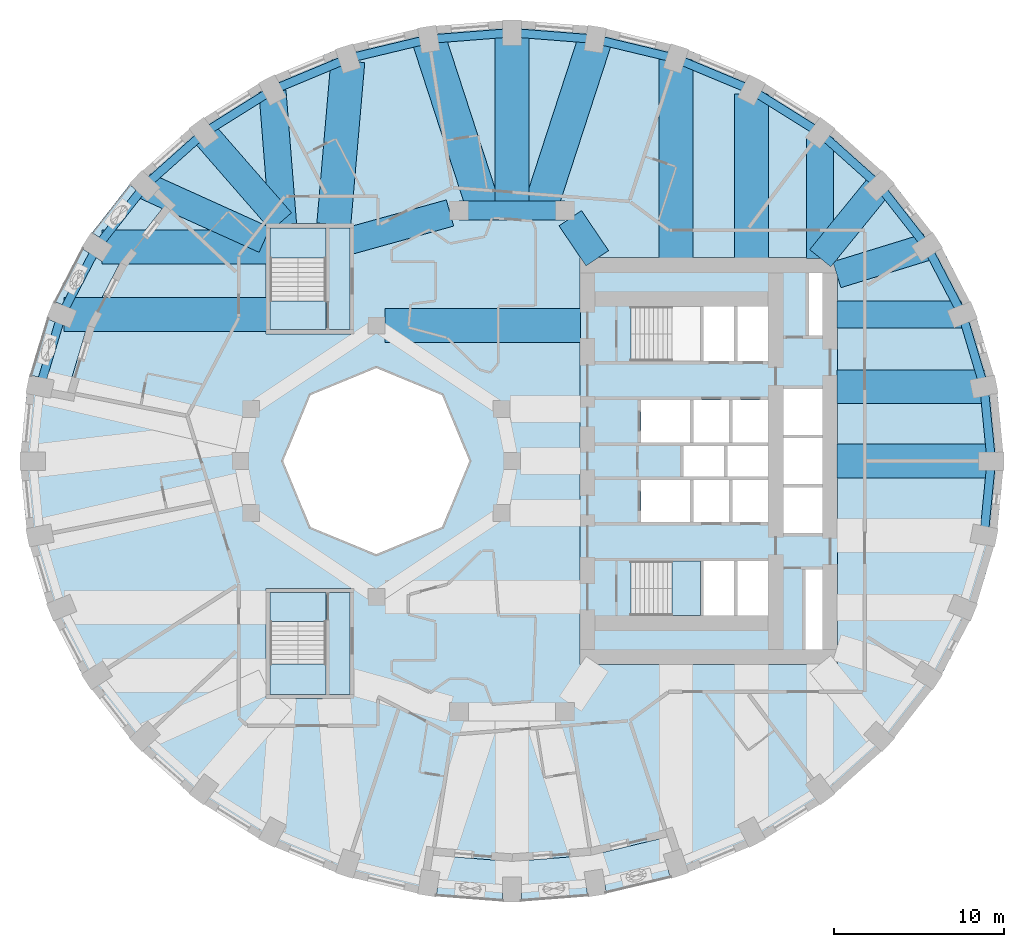
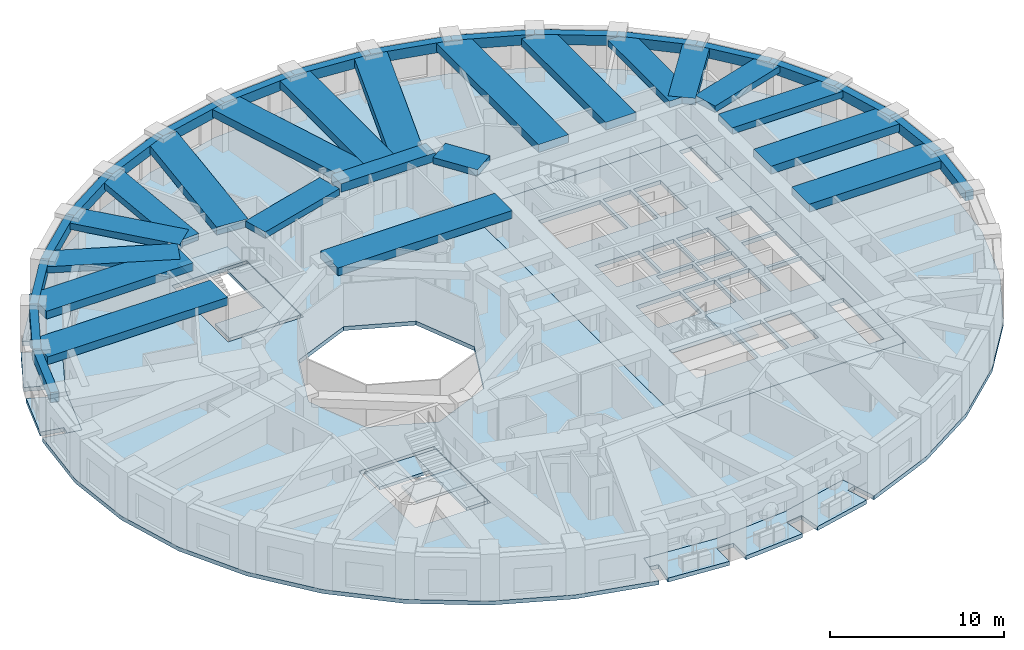
# One storey, part 2 of 13: 39 beams, 11 slabs, 3 elements without a shape of their own.
"""IFC4 building model written with IfcOpenShell, lengths in metres."""

from ifc_helpers import new_model, si_unit, direction, frame, origin, origin_2d, place, context, subcontext, project, spatial, polyline, rectangle, outline, extrude, material, layer, layer_set, material_profile, profile_set, type_object, element, aggregate, save


model = new_model("IFC4")

# Units and contexts
model_context = context("Model", 3, precision=1e-05, world=origin(), true_north=direction((0.0, 1.0)))
body_context = subcontext(model_context, "Body", "Model", "MODEL_VIEW")
ifc_project = project(units=[si_unit("LENGTHUNIT", "METRE"), si_unit("AREAUNIT", "SQUARE_METRE"), si_unit("VOLUMEUNIT", "CUBIC_METRE"), si_unit("PLANEANGLEUNIT", "RADIAN"), si_unit("MASSUNIT", "GRAM", prefix="KILO")], contexts=[model_context])

# Site, building, storey
site_placement = place(None, origin())
site = spatial("IfcSite", under=ifc_project, at=site_placement, CompositionType="ELEMENT")
building_placement = place(site_placement, origin())
building = spatial("IfcBuilding", under=site, at=building_placement, Name="Taillehof Tower", CompositionType="ELEMENT")
storey_placement = place(building_placement, frame((0.0, 0.0, 31.60009765625)))
storey = spatial("IfcBuildingStorey", under=building, at=storey_placement, Name="L07", CompositionType="ELEMENT", Elevation=31.60009765625)

# Beams
ifc_material_1 = material(Name="Concrete C50/60", Category="concrete")
ifc_material_profile_1 = material_profile(ifc_material_1, rectangle(XDim=1.10009765625, YDim=0.60009765625, at=origin_2d()), Name="RC 1100x600")
ifc_profile_set_1 = profile_set([ifc_material_profile_1], Name="Concrete C50/60")
beam_type_1 = type_object("IfcBeamType", Name="Mid-ring beam C50/60 1100x600", PredefinedType="BEAM", material=ifc_profile_set_1)
beam_1_placement = place(storey_placement, frame((3.125732421875, 14.772216796875, 2.719970703125), z_axis=(-1.0, 0.0, 0.0), x_axis=(0.0, -1.0, 0.0)))
element("IfcBeam", 1, at=beam_1_placement, inside=storey, type_object=beam_type_1, Name="Mid-ring beam MB01", PredefinedType="BEAM", context=body_context, shape_type="SweptSolid", body=[
    extrude(rectangle(XDim=1.10009765625, YDim=0.60009765625, at=origin_2d()), origin(), (0.0, 0.0, 1.0), 6.25146484375),
])
ifc_material_2 = material(Name="Concrete C50/60", Category="concrete")
ifc_material_profile_2 = material_profile(ifc_material_2, rectangle(XDim=1.60009765625, YDim=0.449951171875, at=origin_2d()), Name="RC 1600x450")
ifc_profile_set_2 = profile_set([ifc_material_profile_2], Name="Concrete C50/60")
beam_type_2 = type_object("IfcBeamType", Name="Radial band beam C50/60 1600x450", PredefinedType="BEAM", material=ifc_profile_set_2)
beam_2_placement = place(storey_placement, frame((26.490478515625, 8.635986328125, 2.794921875), z_axis=(-1.0, 0.0, 0.0), x_axis=(0.0, -1.0, 0.0)))
element("IfcBeam", 2, at=beam_2_placement, inside=storey, type_object=beam_type_2, Name="Radial band beam RB03", PredefinedType="BEAM", context=body_context, shape_type="SweptSolid", body=[
    extrude(rectangle(XDim=1.60009765625, YDim=0.449951171875, at=origin_2d()), origin(), (0.0, 0.0, 1.0), 7.340576171875),
])
beam_3_placement = place(storey_placement, frame((24.46533203125, 12.625, 2.794921875), z_axis=(-0.955535654338, -0.294875589511, 0.0), x_axis=(0.294875589511, -0.955535654338, 0.0)))
element("IfcBeam", 3, at=beam_3_placement, inside=storey, type_object=beam_type_2, Name="Radial band beam RB04", PredefinedType="BEAM", context=body_context, shape_type="SweptSolid", body=[
    extrude(rectangle(XDim=1.60009765625, YDim=0.449951171875, at=origin_2d()), origin(), (0.0, 0.0, 1.0), 5.560546875),
])
beam_4_placement = place(storey_placement, frame((21.640869140625, 16.23046875, 2.794921875), z_axis=(-0.630988373846, -0.775792286679, 0.0), x_axis=(0.775792286679, -0.630988373846, 0.0)))
element("IfcBeam", 4, at=beam_4_placement, inside=storey, type_object=beam_type_2, Name="Radial band beam RB05", PredefinedType="BEAM", context=body_context, shape_type="SweptSolid", body=[
    extrude(rectangle(XDim=1.60009765625, YDim=0.449951171875, at=origin_2d()), origin(), (0.0, 0.0, 1.0), 5.503173828125),
])
beam_5_placement = place(storey_placement, frame((18.15869140625, 19.05517578125, 2.794921875), z_axis=(0.0, -1.0, 0.0), x_axis=(1.0, 0.0, 0.0)))
element("IfcBeam", 5, at=beam_5_placement, inside=storey, type_object=beam_type_2, Name="Radial band beam RB06", PredefinedType="BEAM", context=body_context, shape_type="SweptSolid", body=[
    extrude(rectangle(XDim=1.60009765625, YDim=0.449951171875, at=origin_2d()), origin(), (0.0, 0.0, 1.0), 7.105224609375),
])
beam_6_placement = place(storey_placement, frame((-14.119873046875, 21.802978515625, 2.794921875), z_axis=(0.079184740988, -0.996859958467, 0.0), x_axis=(0.996859958467, 0.079184740988, 0.0)))
element("IfcBeam", 6, at=beam_6_placement, inside=storey, type_object=beam_type_2, Name="Radial band beam RB13", PredefinedType="BEAM", context=body_context, shape_type="SweptSolid", body=[
    extrude(rectangle(XDim=1.60009765625, YDim=0.449951171875, at=origin_2d()), origin(), (0.0, 0.0, 1.0), 7.87744140625),
])
beam_7_placement = place(storey_placement, frame((-18.15869140625, 19.342529296875, 2.794921875), z_axis=(0.65721824087, -0.753700327628, 0.0), x_axis=(0.753700327628, 0.65721824087, 0.0)))
element("IfcBeam", 7, at=beam_7_placement, inside=storey, type_object=beam_type_2, Name="Radial band beam RB14", PredefinedType="BEAM", context=body_context, shape_type="SweptSolid", body=[
    extrude(rectangle(XDim=1.60009765625, YDim=0.449951171875, at=origin_2d()), origin(), (0.0, 0.0, 1.0), 6.9384765625),
])
beam_8_placement = place(storey_placement, frame((-21.632568359375, 16.226806640625, 2.794921875), z_axis=(0.911100590789, -0.412184077161, 0.0), x_axis=(0.412184077161, 0.911100590789, 0.0)))
element("IfcBeam", 8, at=beam_8_placement, inside=storey, type_object=beam_type_2, Name="Radial band beam RB15", PredefinedType="BEAM", context=body_context, shape_type="SweptSolid", body=[
    extrude(rectangle(XDim=1.60009765625, YDim=0.449951171875, at=origin_2d()), origin(), (0.0, 0.0, 1.0), 7.740966796875),
])
beam_9_placement = place(storey_placement, frame((3.433837890625, 14.31640625, 2.794921875), z_axis=(0.560112043398, -0.828416862962, 0.0), x_axis=(0.828416862962, 0.560112043398, 0.0)))
element("IfcBeam", 9, at=beam_9_placement, inside=storey, type_object=beam_type_2, Name="Inner band beam IB205", PredefinedType="BEAM", context=body_context, shape_type="SweptSolid", body=[
    extrude(rectangle(XDim=1.60009765625, YDim=0.449951171875, at=origin_2d()), origin(), (0.0, 0.0, 1.0), 2.84619140625),
])
beam_10_placement = place(storey_placement, frame((-3.655517578125, 14.624755859375, 2.794921875), z_axis=(-0.963459369536, -0.267854518821, 0.0), x_axis=(0.267854518821, -0.963459369536, 0.0)))
element("IfcBeam", 10, at=beam_10_placement, inside=storey, type_object=beam_type_2, Name="Inner band beam IB206", PredefinedType="BEAM", context=body_context, shape_type="SweptSolid", body=[
    extrude(rectangle(XDim=1.60009765625, YDim=0.449951171875, at=origin_2d()), origin(), (0.0, 0.0, 1.0), 6.096923828125),
])
ifc_material_3 = material(Name="Concrete C50/60", Category="concrete")
ifc_material_profile_3 = material_profile(ifc_material_3, rectangle(XDim=2.0, YDim=0.550048828125, at=origin_2d()), Name="RC 2000x550")
ifc_profile_set_3 = profile_set([ifc_material_profile_3], Name="Concrete C50/60")
beam_type_3 = type_object("IfcBeamType", Name="Radial band beam C50/60 2000x550", PredefinedType="BEAM", material=ifc_profile_set_3)
beam_11_placement = place(storey_placement, frame((28.25, 0.0, 2.744873046875), z_axis=(-1.0, 0.0, 0.0), x_axis=(0.0, -1.0, 0.0)))
element("IfcBeam", 11, at=beam_11_placement, inside=storey, type_object=beam_type_3, Name="Radial band beam RB01", PredefinedType="BEAM", context=body_context, shape_type="SweptSolid", body=[
    extrude(rectangle(XDim=2.0, YDim=0.550048828125, at=origin_2d()), origin(), (0.0, 0.0, 1.0), 9.10009765625),
])
beam_12_placement = place(storey_placement, frame((27.82080078125, 4.384521484375, 2.744873046875), z_axis=(-1.0, 0.0, 0.0), x_axis=(0.0, -1.0, 0.0)))
element("IfcBeam", 12, at=beam_12_placement, inside=storey, type_object=beam_type_3, Name="Radial band beam RB02", PredefinedType="BEAM", context=body_context, shape_type="SweptSolid", body=[
    extrude(rectangle(XDim=2.0, YDim=0.550048828125, at=origin_2d()), origin(), (0.0, 0.0, 1.0), 8.6708984375),
])
beam_13_placement = place(storey_placement, frame((14.125, 21.63232421875, 2.744873046875), z_axis=(0.0, -1.0, 0.0), x_axis=(1.0, 0.0, 0.0)))
element("IfcBeam", 13, at=beam_13_placement, inside=storey, type_object=beam_type_3, Name="Radial band beam RB07", PredefinedType="BEAM", context=body_context, shape_type="SweptSolid", body=[
    extrude(rectangle(XDim=2.0, YDim=0.550048828125, at=origin_2d()), origin(), (0.0, 0.0, 1.0), 9.682373046875),
])
beam_14_placement = place(storey_placement, frame((9.662109375, 23.664794921875, 2.744873046875), z_axis=(0.0, -1.0, 0.0), x_axis=(1.0, 0.0, 0.0)))
element("IfcBeam", 14, at=beam_14_placement, inside=storey, type_object=beam_type_3, Name="Radial band beam RB08", PredefinedType="BEAM", context=body_context, shape_type="SweptSolid", body=[
    extrude(rectangle(XDim=2.0, YDim=0.550048828125, at=origin_2d()), origin(), (0.0, 0.0, 1.0), 11.71484375),
])
beam_15_placement = place(storey_placement, frame((4.905517578125, 24.866455078125, 2.744873046875), z_axis=(-0.309014294595, -0.951057393503, 0.0), x_axis=(0.951057393503, -0.309014294595, 0.0)))
element("IfcBeam", 15, at=beam_15_placement, inside=storey, type_object=beam_type_3, Name="Radial band beam RB09", PredefinedType="BEAM", context=body_context, shape_type="SweptSolid", body=[
    extrude(rectangle(XDim=2.0, YDim=0.550048828125, at=origin_2d()), origin(), (0.0, 0.0, 1.0), 10.61376953125),
])
beam_16_placement = place(storey_placement, frame((0.0, 25.25, 2.744873046875), z_axis=(0.0, -1.0, 0.0), x_axis=(1.0, 0.0, 0.0)))
element("IfcBeam", 16, at=beam_16_placement, inside=storey, type_object=beam_type_3, Name="Radial band beam RB10", PredefinedType="BEAM", context=body_context, shape_type="SweptSolid", body=[
    extrude(rectangle(XDim=2.0, YDim=0.550048828125, at=origin_2d()), origin(), (0.0, 0.0, 1.0), 10.477783203125),
])
beam_17_placement = place(storey_placement, frame((-4.905517578125, 24.866455078125, 2.744873046875), z_axis=(0.309014294595, -0.951057393503, 0.0), x_axis=(0.951057393503, 0.309014294595, 0.0)))
element("IfcBeam", 17, at=beam_17_placement, inside=storey, type_object=beam_type_3, Name="Radial band beam RB11", PredefinedType="BEAM", context=body_context, shape_type="SweptSolid", body=[
    extrude(rectangle(XDim=2.0, YDim=0.550048828125, at=origin_2d()), origin(), (0.0, 0.0, 1.0), 10.61376953125),
])
beam_18_placement = place(storey_placement, frame((-9.675048828125, 23.575927734375, 2.744873046875), z_axis=(-0.085841202752, -0.996308831593, 0.0), x_axis=(0.996308831593, -0.085841202752, 0.0)))
element("IfcBeam", 18, at=beam_18_placement, inside=storey, type_object=beam_type_3, Name="Radial band beam RB12", PredefinedType="BEAM", context=body_context, shape_type="SweptSolid", body=[
    extrude(rectangle(XDim=2.0, YDim=0.550048828125, at=origin_2d()), origin(), (0.0, 0.0, 1.0), 9.661376953125),
])
beam_19_placement = place(storey_placement, frame((-24.172607421875, 12.625, 2.744873046875), z_axis=(1.0, 0.0, 0.0), x_axis=(0.0, 1.0, 0.0)))
element("IfcBeam", 19, at=beam_19_placement, inside=storey, type_object=beam_type_3, Name="Radial band beam RB16", PredefinedType="BEAM", context=body_context, shape_type="SweptSolid", body=[
    extrude(rectangle(XDim=2.0, YDim=0.550048828125, at=origin_2d()), origin(), (0.0, 0.0, 1.0), 9.72265625),
])
beam_20_placement = place(storey_placement, frame((-26.408935546875, 8.635986328125, 2.744873046875), z_axis=(1.0, 0.0, 0.0), x_axis=(0.0, 1.0, 0.0)))
element("IfcBeam", 20, at=beam_20_placement, inside=storey, type_object=beam_type_3, Name="Radial band beam RB17", PredefinedType="BEAM", context=body_context, shape_type="SweptSolid", body=[
    extrude(rectangle(XDim=2.0, YDim=0.550048828125, at=origin_2d()), origin(), (0.0, 0.0, 1.0), 11.958984375),
])
beam_21_placement = place(storey_placement, frame((-7.5, 8.0, 2.744873046875), z_axis=(1.0, 0.0, 0.0), x_axis=(0.0, 1.0, 0.0)))
element("IfcBeam", 21, at=beam_21_placement, inside=storey, type_object=beam_type_3, Name="Inner band beam IB105", PredefinedType="BEAM", context=body_context, shape_type="SweptSolid", body=[
    extrude(rectangle(XDim=2.0, YDim=0.550048828125, at=origin_2d()), origin(), (0.0, 0.0, 1.0), 11.550048828125),
])
ifc_material_4 = material(Name="Concrete C50/60", Category="concrete")
ifc_material_profile_4 = material_profile(ifc_material_4, rectangle(XDim=0.5, YDim=0.699951171875, at=origin_2d()), Name="RC 500x700")
ifc_profile_set_4 = profile_set([ifc_material_profile_4], Name="Concrete C50/60")
beam_type_4 = type_object("IfcBeamType", Name="Spandrel beam C50/60 500x700", PredefinedType="SPANDREL", material=ifc_profile_set_4)
beam_22_placement = place(storey_placement, frame((28.25, 0.0, 2.669921875), z_axis=(-0.097423973567, 0.99524297002, 0.0), x_axis=(-0.99524297002, -0.097423973567, 0.0)))
element("IfcBeam", 22, at=beam_22_placement, inside=storey, type_object=beam_type_4, Name="Spandrel beam SB01", PredefinedType="SPANDREL", context=body_context, shape_type="SweptSolid", body=[
    extrude(rectangle(XDim=0.5, YDim=0.699951171875, at=origin_2d()), origin(), (0.0, 0.0, 1.0), 4.405517578125),
])
beam_23_placement = place(storey_placement, frame((27.82080078125, 4.384521484375, 2.669921875), z_axis=(-0.287135925407, 0.957889847707, 0.0), x_axis=(-0.957889847707, -0.287135925407, 0.0)))
element("IfcBeam", 23, at=beam_23_placement, inside=storey, type_object=beam_type_4, Name="Spandrel beam SB02", PredefinedType="SPANDREL", context=body_context, shape_type="SweptSolid", body=[
    extrude(rectangle(XDim=0.5, YDim=0.699951171875, at=origin_2d()), origin(), (0.0, 0.0, 1.0), 4.4384765625),
])
beam_24_placement = place(storey_placement, frame((26.54638671875, 8.635986328125, 2.669921875), z_axis=(-0.462536335232, 0.886600326297, 0.0), x_axis=(-0.886600326297, -0.462536335232, 0.0)))
element("IfcBeam", 24, at=beam_24_placement, inside=storey, type_object=beam_type_4, Name="Spandrel beam SB03", PredefinedType="SPANDREL", context=body_context, shape_type="SweptSolid", body=[
    extrude(rectangle(XDim=0.5, YDim=0.699951171875, at=origin_2d()), origin(), (0.0, 0.0, 1.0), 4.499267578125),
])
beam_25_placement = place(storey_placement, frame((24.46533203125, 12.625, 2.669921875), z_axis=(-0.616686200373, 0.787209076593, 0.0), x_axis=(-0.787209076593, -0.616686200373, 0.0)))
element("IfcBeam", 25, at=beam_25_placement, inside=storey, type_object=beam_type_4, Name="Spandrel beam SB04", PredefinedType="SPANDREL", context=body_context, shape_type="SweptSolid", body=[
    extrude(rectangle(XDim=0.5, YDim=0.699951171875, at=origin_2d()), origin(), (0.0, 0.0, 1.0), 4.580078125),
])
beam_26_placement = place(storey_placement, frame((21.640869140625, 16.23046875, 2.669921875), z_axis=(-0.745621283614, 0.666369943366, 0.0), x_axis=(-0.666369943366, -0.745621283614, 0.0)))
element("IfcBeam", 26, at=beam_26_placement, inside=storey, type_object=beam_type_4, Name="Spandrel beam SB05", PredefinedType="SPANDREL", context=body_context, shape_type="SweptSolid", body=[
    extrude(rectangle(XDim=0.5, YDim=0.699951171875, at=origin_2d()), origin(), (0.0, 0.0, 1.0), 4.670166015625),
])
beam_27_placement = place(storey_placement, frame((18.15869140625, 19.342529296875, 2.669921875), z_axis=(-0.847658018883, 0.530543007703, 0.0), x_axis=(-0.530543007703, -0.847658018883, 0.0)))
element("IfcBeam", 27, at=beam_27_placement, inside=storey, type_object=beam_type_4, Name="Spandrel beam SB06", PredefinedType="SPANDREL", context=body_context, shape_type="SweptSolid", body=[
    extrude(rectangle(XDim=0.5, YDim=0.699951171875, at=origin_2d()), origin(), (0.0, 0.0, 1.0), 4.758544921875),
])
beam_28_placement = place(storey_placement, frame((14.125, 21.8671875, 2.669921875), z_axis=(-0.923035088053, 0.384715773297, 0.0), x_axis=(-0.384715773297, -0.923035088053, 0.0)))
element("IfcBeam", 28, at=beam_28_placement, inside=storey, type_object=beam_type_4, Name="Spandrel beam SB07", PredefinedType="SPANDREL", context=body_context, shape_type="SweptSolid", body=[
    extrude(rectangle(XDim=0.5, YDim=0.699951171875, at=origin_2d()), origin(), (0.0, 0.0, 1.0), 4.8349609375),
])
beam_29_placement = place(storey_placement, frame((9.662109375, 23.727294921875, 2.669921875), z_axis=(-0.9724995553, 0.232904733616, 0.0), x_axis=(-0.232904733616, -0.9724995553, 0.0)))
element("IfcBeam", 29, at=beam_29_placement, inside=storey, type_object=beam_type_4, Name="Spandrel beam SB08", PredefinedType="SPANDREL", context=body_context, shape_type="SweptSolid", body=[
    extrude(rectangle(XDim=0.5, YDim=0.699951171875, at=origin_2d()), origin(), (0.0, 0.0, 1.0), 4.89111328125),
])
for number, where, z_axis, x_axis, name in (
    (30, (4.905517578125, 24.866455078125, 2.669921875), (-0.996957383661, 0.077948541767, 0.0), (-0.077948541767, -0.996957383661, 0.0), "Spandrel beam SB09"),
    (31, (0.0, 25.25, 2.669921875), (-0.996957383661, -0.077948541767, 0.0), (0.077948541767, -0.996957383661, 0.0), "Spandrel beam SB10"),
):
    element("IfcBeam", number, at=place(storey_placement, frame(where, z_axis=z_axis, x_axis=x_axis)), inside=storey, type_object=beam_type_4, Name=name, PredefinedType="SPANDREL", context=body_context, shape_type="SweptSolid", body=[
        extrude(rectangle(XDim=0.5, YDim=0.699951171875, at=origin_2d()), origin(), (0.0, 0.0, 1.0), 4.92041015625),
    ])
beam_30_placement = place(storey_placement, frame((-4.905517578125, 24.866455078125, 2.669921875), z_axis=(-0.9724995553, -0.232904733616, 0.0), x_axis=(0.232904733616, -0.9724995553, 0.0)))
element("IfcBeam", 32, at=beam_30_placement, inside=storey, type_object=beam_type_4, Name="Spandrel beam SB11", PredefinedType="SPANDREL", context=body_context, shape_type="SweptSolid", body=[
    extrude(rectangle(XDim=0.5, YDim=0.699951171875, at=origin_2d()), origin(), (0.0, 0.0, 1.0), 4.89111328125),
])
beam_31_placement = place(storey_placement, frame((-9.662109375, 23.727294921875, 2.669921875), z_axis=(-0.923035088053, -0.384715773297, 0.0), x_axis=(0.384715773297, -0.923035088053, 0.0)))
element("IfcBeam", 33, at=beam_31_placement, inside=storey, type_object=beam_type_4, Name="Spandrel beam SB12", PredefinedType="SPANDREL", context=body_context, shape_type="SweptSolid", body=[
    extrude(rectangle(XDim=0.5, YDim=0.699951171875, at=origin_2d()), origin(), (0.0, 0.0, 1.0), 4.8349609375),
])
beam_32_placement = place(storey_placement, frame((-14.125, 21.8671875, 2.669921875), z_axis=(-0.847658018883, -0.530543007703, 0.0), x_axis=(0.530543007703, -0.847658018883, 0.0)))
element("IfcBeam", 34, at=beam_32_placement, inside=storey, type_object=beam_type_4, Name="Spandrel beam SB13", PredefinedType="SPANDREL", context=body_context, shape_type="SweptSolid", body=[
    extrude(rectangle(XDim=0.5, YDim=0.699951171875, at=origin_2d()), origin(), (0.0, 0.0, 1.0), 4.758544921875),
])
beam_33_placement = place(storey_placement, frame((-18.15869140625, 19.342529296875, 2.669921875), z_axis=(-0.745621283614, -0.666369943366, 0.0), x_axis=(0.666369943366, -0.745621283614, 0.0)))
element("IfcBeam", 35, at=beam_33_placement, inside=storey, type_object=beam_type_4, Name="Spandrel beam SB14", PredefinedType="SPANDREL", context=body_context, shape_type="SweptSolid", body=[
    extrude(rectangle(XDim=0.5, YDim=0.699951171875, at=origin_2d()), origin(), (0.0, 0.0, 1.0), 4.670166015625),
])
beam_34_placement = place(storey_placement, frame((-21.640869140625, 16.23046875, 2.669921875), z_axis=(-0.616686200373, -0.787209076593, 0.0), x_axis=(0.787209076593, -0.616686200373, 0.0)))
element("IfcBeam", 36, at=beam_34_placement, inside=storey, type_object=beam_type_4, Name="Spandrel beam SB15", PredefinedType="SPANDREL", context=body_context, shape_type="SweptSolid", body=[
    extrude(rectangle(XDim=0.5, YDim=0.699951171875, at=origin_2d()), origin(), (0.0, 0.0, 1.0), 4.580078125),
])
beam_35_placement = place(storey_placement, frame((-24.46533203125, 12.625, 2.669921875), z_axis=(-0.462536335232, -0.886600326297, 0.0), x_axis=(0.886600326297, -0.462536335232, 0.0)))
element("IfcBeam", 37, at=beam_35_placement, inside=storey, type_object=beam_type_4, Name="Spandrel beam SB16", PredefinedType="SPANDREL", context=body_context, shape_type="SweptSolid", body=[
    extrude(rectangle(XDim=0.5, YDim=0.699951171875, at=origin_2d()), origin(), (0.0, 0.0, 1.0), 4.499267578125),
])
beam_36_placement = place(storey_placement, frame((-26.54638671875, 8.635986328125, 2.669921875), z_axis=(-0.287135925407, -0.957889847707, 0.0), x_axis=(0.957889847707, -0.287135925407, 0.0)))
element("IfcBeam", 38, at=beam_36_placement, inside=storey, type_object=beam_type_4, Name="Spandrel beam SB17", PredefinedType="SPANDREL", context=body_context, shape_type="SweptSolid", body=[
    extrude(rectangle(XDim=0.5, YDim=0.699951171875, at=origin_2d()), origin(), (0.0, 0.0, 1.0), 4.4384765625),
])
beam_37_placement = place(storey_placement, frame((27.82080078125, -4.384521484375, 2.669921875), z_axis=(0.097423973567, 0.99524297002, 0.0), x_axis=(-0.99524297002, 0.097423973567, 0.0)))
element("IfcBeam", 39, at=beam_37_placement, inside=storey, type_object=beam_type_4, Name="Spandrel beam SB36", PredefinedType="SPANDREL", context=body_context, shape_type="SweptSolid", body=[
    extrude(rectangle(XDim=0.5, YDim=0.699951171875, at=origin_2d()), origin(), (0.0, 0.0, 1.0), 4.405517578125),
])

# Slabs
ifc_material_5 = material(Name="Concrete C40/50", Category="concrete")
ifc_layer_1 = layer(ifc_material_5, 0.280029296875)
ifc_layer_set_1 = layer_set([ifc_layer_1], Name="Balcony slab 280")
slab_type_1 = type_object("IfcSlabType", Name="Balcony slab 280", PredefinedType="USERDEFINED", material=ifc_layer_set_1)
slab_1_placement = place(storey_placement, frame((0.0, 0.0, -0.280029296875)))
element("IfcSlab", 40, at=slab_1_placement, inside=storey, type_object=slab_type_1, Name="Balcony L07 pocket 4", ObjectType="BALCONY", PredefinedType="USERDEFINED", context=body_context, shape_type="SweptSolid", body=[
    extrude(outline(polyline([(-26.20458984375, 4.0517578125), (-27.087646484375, 4.225341796875), (-26.978759765625, 4.779541015625), (-28.39697265625, 5.058349609375), (-27.4013671875, 8.3896484375), (-26.058349609375, 7.84423828125), (-25.64453125, 8.863525390625), (-26.9833984375, 9.406982421875), (-25.352783203125, 12.54248046875), (-24.13232421875, 11.756591796875), (-23.536865234375, 12.681396484375), (-24.752197265625, 13.464111328125), (-22.530029296875, 16.309326171875), (-21.468994140625, 15.31640625), (-21.120849609375, 15.688232421875), (-20.463134765625, 15.072509765625), (-23.096923828125, 11.70068359375), (-25.02734375, 7.98974609375), (-26.20458984375, 4.0517578125)])), origin(), (0.0, 0.0, 1.0), 0.280029296875),
])
slab_2_placement = place(storey_placement, frame((0.0, 0.0, -0.280029296875)))
element("IfcSlab", 41, at=slab_2_placement, inside=storey, type_object=slab_type_1, Name="Balcony L07 pocket 8", ObjectType="BALCONY", PredefinedType="USERDEFINED", context=body_context, shape_type="SweptSolid", body=[
    extrude(outline(polyline([(9.174072265625, -22.150390625), (9.453369140625, -23.00634765625), (8.906494140625, -23.184814453125), (9.357421875, -24.56689453125), (5.559326171875, -25.479248046875), (5.331787109375, -24.039794921875), (4.2451171875, -24.21142578125), (4.472412109375, -25.649169921875), (0.550048828125, -25.956787109375), (0.550048828125, -24.5), (-0.550048828125, -24.5), (-0.550048828125, -25.956787109375), (-4.472412109375, -25.649169921875), (-4.2451171875, -24.21142578125), (-4.801513671875, -24.12353515625), (-4.6611328125, -23.234375), (0.0, -23.60009765625), (4.6611328125, -23.234375), (9.174072265625, -22.150390625)])), origin(), (0.0, 0.0, 1.0), 0.280029296875),
])
ifc_material_6 = material(Name="Concrete C40/50", Category="concrete")
ifc_layer_2 = layer(ifc_material_6, 0.280029296875)
ifc_layer_set_2 = layer_set([ifc_layer_2], Name="Core floor slab C40/50 280")
slab_type_2 = type_object("IfcSlabType", Name="Core floor slab C40/50 280", PredefinedType="FLOOR", material=ifc_layer_set_2)
slab_3_placement = place(storey_placement, frame((0.0, 0.0, -0.280029296875)))
element("IfcSlab", 42, at=slab_3_placement, inside=storey, type_object=slab_type_2, Name="Core floor L07", PredefinedType="FLOOR", context=body_context, shape_type="SweptSolid", body=[
    extrude(outline(polyline([(4.0, -12.0), (4.0, 12.0), (19.199951171875, 12.0), (19.199951171875, -12.0), (4.0, -12.0)]), holes=[polyline([(7.00048828125, -9.10009765625), (11.10009765625, -9.10009765625), (11.10009765625, -5.89990234375), (7.00048828125, -5.89990234375), (7.00048828125, -9.10009765625)]), polyline([(13.10009765625, -9.10009765625), (13.10009765625, -5.89990234375), (11.300048828125, -5.89990234375), (11.300048828125, -9.10009765625), (13.10009765625, -9.10009765625)]), polyline([(10.5, -3.60009765625), (10.5, -1.10009765625), (7.60009765625, -1.10009765625), (7.60009765625, -3.60009765625), (10.5, -3.60009765625)]), polyline([(12.800048828125, -3.60009765625), (12.800048828125, -1.10009765625), (10.699951171875, -1.10009765625), (10.699951171875, -3.60009765625), (12.800048828125, -3.60009765625)]), polyline([(12.5, -0.89990234375), (12.5, 0.89990234375), (10.10009765625, 0.89990234375), (10.10009765625, -0.89990234375), (12.5, -0.89990234375)]), polyline([(15.10009765625, -0.89990234375), (15.10009765625, 0.89990234375), (12.699951171875, 0.89990234375), (12.699951171875, -0.89990234375), (15.10009765625, -0.89990234375)]), polyline([(10.5, 1.10009765625), (10.5, 3.60009765625), (7.60009765625, 3.60009765625), (7.60009765625, 1.10009765625), (10.5, 1.10009765625)]), polyline([(10.699951171875, 1.10009765625), (12.800048828125, 1.10009765625), (12.800048828125, 3.60009765625), (10.699951171875, 3.60009765625), (10.699951171875, 1.10009765625)]), polyline([(11.300048828125, 5.89990234375), (13.10009765625, 5.89990234375), (13.10009765625, 9.10009765625), (11.300048828125, 9.10009765625), (11.300048828125, 5.89990234375)]), polyline([(11.10009765625, 5.89990234375), (11.10009765625, 9.10009765625), (7.00048828125, 9.10009765625), (7.00048828125, 5.89990234375), (11.10009765625, 5.89990234375)]), polyline([(18.300048828125, -11.10009765625), (18.300048828125, -6.39990234375), (17.300048828125, -6.39990234375), (17.300048828125, -11.10009765625), (18.300048828125, -11.10009765625)]), polyline([(15.10009765625, -9.10009765625), (15.10009765625, -5.89990234375), (13.300048828125, -5.89990234375), (13.300048828125, -9.10009765625), (15.10009765625, -9.10009765625)]), polyline([(16.0, -4.25), (18.300048828125, -4.25), (18.300048828125, -1.550048828125), (16.0, -1.550048828125), (16.0, -4.25)]), polyline([(13.0, -3.60009765625), (15.10009765625, -3.60009765625), (15.10009765625, -1.10009765625), (13.0, -1.10009765625), (13.0, -3.60009765625)]), polyline([(18.300048828125, -1.35009765625), (18.300048828125, 1.35009765625), (16.0, 1.35009765625), (16.0, -1.35009765625), (18.300048828125, -1.35009765625)]), polyline([(15.10009765625, 1.10009765625), (15.10009765625, 3.60009765625), (13.0, 3.60009765625), (13.0, 1.10009765625), (15.10009765625, 1.10009765625)]), polyline([(18.300048828125, 1.550048828125), (18.300048828125, 4.25), (16.0, 4.25), (16.0, 1.550048828125), (18.300048828125, 1.550048828125)]), polyline([(13.300048828125, 5.89990234375), (15.10009765625, 5.89990234375), (15.10009765625, 9.10009765625), (13.300048828125, 9.10009765625), (13.300048828125, 5.89990234375)]), polyline([(17.5, 7.39990234375), (18.300048828125, 7.39990234375), (18.300048828125, 11.10009765625), (17.5, 11.10009765625), (17.5, 7.39990234375)])]), origin(), (0.0, 0.0, 1.0), 0.280029296875),
])
ifc_material_7 = material(Name="Concrete C40/50", Category="concrete")
ifc_layer_3 = layer(ifc_material_7, 0.280029296875)
ifc_layer_set_3 = layer_set([ifc_layer_3], Name="Floor slab 280")
slab_type_3 = type_object("IfcSlabType", Name="Floor slab 280", PredefinedType="FLOOR", material=ifc_layer_set_3)
slab_4_placement = place(storey_placement, frame((0.0, 0.0, -0.280029296875)))
element("IfcSlab", 43, at=slab_4_placement, inside=storey, type_object=slab_type_3, Name="Floor slab L07", PredefinedType="FLOOR", context=body_context, shape_type="SweptSolid", body=[
    extrude(outline(polyline([(29.0, 0.0), (28.559326171875, 4.514892578125), (27.251220703125, 8.892578125), (25.11474609375, 13.0), (22.21533203125, 16.71240234375), (18.640869140625, 19.917236328125), (14.5, 22.5166015625), (9.918701171875, 24.431884765625), (5.035888671875, 25.60498046875), (0.0, 26.0), (-5.035888671875, 25.60498046875), (-9.918701171875, 24.431884765625), (-14.5, 22.5166015625), (-18.640869140625, 19.917236328125), (-22.21533203125, 16.71240234375), (-20.462890625, 15.072509765625), (-23.096923828125, 11.70068359375), (-25.02734375, 7.98974609375), (-26.20458984375, 4.0517578125), (-28.559326171875, 4.514892578125), (-29.0, 0.0), (-28.559326171875, -4.514892578125), (-27.251220703125, -8.892578125), (-25.11474609375, -13.0), (-22.21533203125, -16.71240234375), (-18.640869140625, -19.917236328125), (-14.5, -22.5166015625), (-9.918701171875, -24.431884765625), (-5.035888671875, -25.60498046875), (-4.660888671875, -23.234375), (0.0, -23.60009765625), (4.660888671875, -23.234375), (9.174072265625, -22.150390625), (9.918701171875, -24.431884765625), (14.5, -22.5166015625), (18.640869140625, -19.917236328125), (22.21533203125, -16.71240234375), (25.11474609375, -13.0), (27.251220703125, -8.892578125), (28.559326171875, -4.514892578125), (29.0, 0.0)]), holes=[polyline([(-14.5, -7.5), (-9.5, -7.5), (-9.5, -14.0), (-14.5, -14.0), (-14.5, -7.5)]), polyline([(-8.0, -5.5), (-11.88916015625, -3.88916015625), (-13.5, 0.0), (-11.88916015625, 3.88916015625), (-8.0, 5.5), (-4.11083984375, 3.88916015625), (-2.5, 0.0), (-4.11083984375, -3.88916015625), (-8.0, -5.5)]), polyline([(19.199951171875, 12.0), (19.199951171875, -12.0), (4.0, -12.0), (4.0, 12.0), (19.199951171875, 12.0)]), polyline([(-14.5, 14.0), (-9.5, 14.0), (-9.5, 7.5), (-14.5, 7.5), (-14.5, 14.0)])]), origin(), (0.0, 0.0, 1.0), 0.280029296875),
])

# Stair, slab
ifc_material_8 = material(Name="Concrete C40/50", Category="concrete")
stair_type = type_object("IfcStairType", Name="Exit stair half-turn", PredefinedType="HALF_TURN_STAIR", material=ifc_material_8)
stair_1_placement = place(storey_placement, origin())
stair_1 = element("IfcStair", 44, at=stair_1_placement, inside=storey, type_object=stair_type, Name="Exit stair S2", PredefinedType="HALF_TURN_STAIR")
ifc_material_9 = material(Name="Concrete C40/50", Category="concrete")
ifc_layer_4 = layer(ifc_material_9, 0.2099609375)
ifc_layer_set_4 = layer_set([ifc_layer_4], Name="Stair landing C40/50 210")
slab_type_4 = type_object("IfcSlabType", Name="Stair landing C40/50 210", PredefinedType="LANDING", material=ifc_layer_set_4)
slab_5_placement = place(storey_placement, frame((0.0, 0.0, 1.43994140625)))
slab_5 = element("IfcSlab", 45, at=slab_5_placement, type_object=slab_type_4, Name="S2 landing 1", PredefinedType="LANDING", context=body_context, shape_type="SweptSolid", body=[
    extrude(outline(polyline([(9.429931640625, -5.89990234375), (11.10009765625, -5.89990234375), (11.10009765625, -9.10009765625), (9.429931640625, -9.10009765625), (9.429931640625, -5.89990234375)])), origin(), (0.0, 0.0, 1.0), 0.2099609375),
])
aggregate(stair_1, [slab_5])

stair_2_placement = place(storey_placement, origin())
stair_2 = element("IfcStair", 46, at=stair_2_placement, inside=storey, type_object=stair_type, Name="Exit stair S3", PredefinedType="HALF_TURN_STAIR")
slab_6_placement = place(storey_placement, frame((0.0, 0.0, 1.43994140625)))
slab_6 = element("IfcSlab", 47, at=slab_6_placement, type_object=slab_type_4, Name="S3 landing 1", PredefinedType="LANDING", context=body_context, shape_type="SweptSolid", body=[
    extrude(outline(polyline([(-14.25, 11.969970703125), (-14.25, 13.75), (-10.949951171875, 13.75), (-10.949951171875, 11.969970703125), (-14.25, 11.969970703125)])), origin(), (0.0, 0.0, 1.0), 0.2099609375),
])
aggregate(stair_2, [slab_6])

stair_3_placement = place(storey_placement, origin())
stair_3 = element("IfcStair", 48, at=stair_3_placement, inside=storey, type_object=stair_type, Name="Exit stair S4", PredefinedType="HALF_TURN_STAIR")
slab_7_placement = place(storey_placement, frame((0.0, 0.0, 1.43994140625)))
slab_7 = element("IfcSlab", 49, at=slab_7_placement, type_object=slab_type_4, Name="S4 landing 1", PredefinedType="LANDING", context=body_context, shape_type="SweptSolid", body=[
    extrude(outline(polyline([(-14.25, -11.969970703125), (-14.25, -13.75), (-10.949951171875, -13.75), (-10.949951171875, -11.969970703125), (-14.25, -11.969970703125)])), origin(), (0.0, 0.0, 1.0), 0.2099609375),
])
aggregate(stair_3, [slab_7])

# Slabs
slab_8_placement = place(storey_placement, frame((0.0, 0.0, -0.210205078125)))
element("IfcSlab", 50, at=slab_8_placement, inside=storey, type_object=slab_type_4, Name="Stair S3 floor landing", PredefinedType="LANDING", context=body_context, shape_type="SweptSolid", body=[
    extrude(outline(polyline([(-14.25, 7.75), (-14.25, 9.449951171875), (-10.949951171875, 9.449951171875), (-10.949951171875, 7.75), (-14.25, 7.75)])), origin(), (0.0, 0.0, 1.0), 0.210205078125),
])
slab_9_placement = place(storey_placement, frame((0.0, 0.0, -0.210205078125)))
element("IfcSlab", 51, at=slab_9_placement, inside=storey, type_object=slab_type_4, Name="Stair lobby S3 floor", PredefinedType="LANDING", context=body_context, shape_type="SweptSolid", body=[
    extrude(outline(polyline([(-10.949951171875, 7.75), (-9.550048828125, 7.75), (-9.550048828125, 13.75), (-10.949951171875, 13.75), (-10.949951171875, 7.75)])), origin(), (0.0, 0.0, 1.0), 0.210205078125),
])
slab_10_placement = place(storey_placement, frame((0.0, 0.0, -0.210205078125)))
element("IfcSlab", 52, at=slab_10_placement, inside=storey, type_object=slab_type_4, Name="Stair S4 floor landing", PredefinedType="LANDING", context=body_context, shape_type="SweptSolid", body=[
    extrude(outline(polyline([(-14.25, -7.75), (-14.25, -9.449951171875), (-10.949951171875, -9.449951171875), (-10.949951171875, -7.75), (-14.25, -7.75)])), origin(), (0.0, 0.0, 1.0), 0.210205078125),
])
slab_11_placement = place(storey_placement, frame((0.0, 0.0, -0.210205078125)))
element("IfcSlab", 53, at=slab_11_placement, inside=storey, type_object=slab_type_4, Name="Stair lobby S4 floor", PredefinedType="LANDING", context=body_context, shape_type="SweptSolid", body=[
    extrude(outline(polyline([(-10.949951171875, -13.75), (-9.550048828125, -13.75), (-9.550048828125, -7.75), (-10.949951171875, -7.75), (-10.949951171875, -13.75)])), origin(), (0.0, 0.0, 1.0), 0.210205078125),
])

save(model, "model.ifc")
